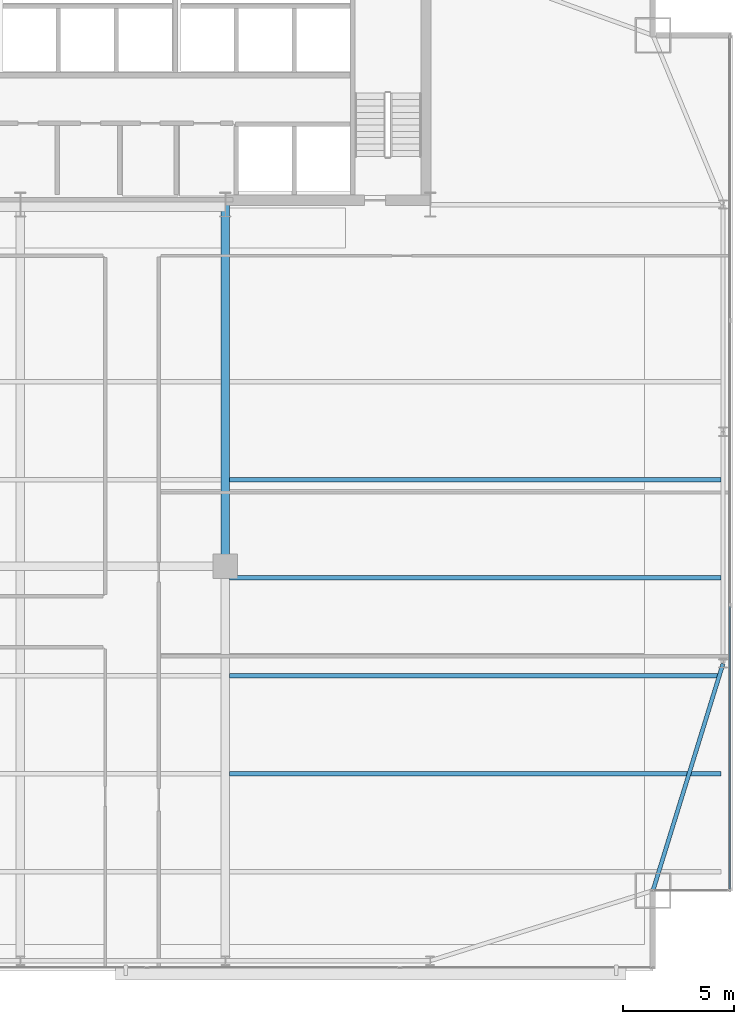
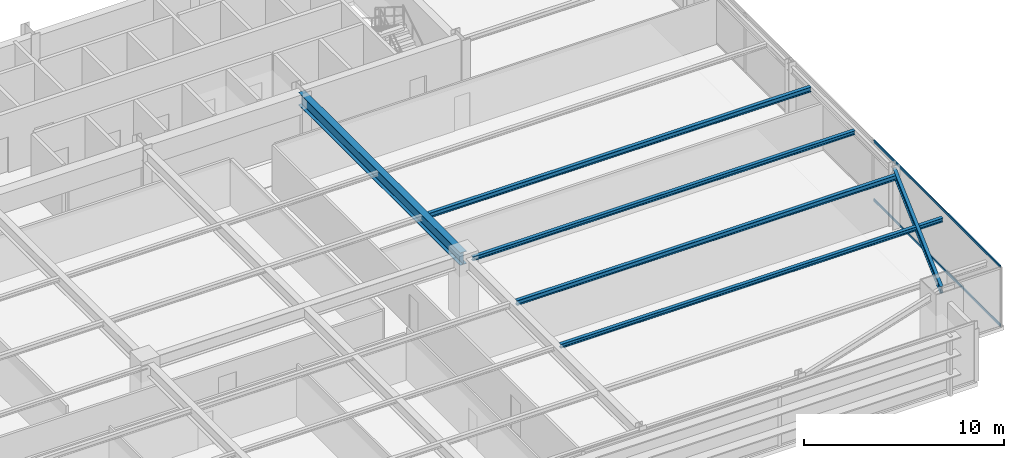
# One storey, part 17 of 30: 6 beams, 2 members, 1 element without a shape of its own.
"""IFC4 building model written with IfcOpenShell, lengths in metres."""

from ifc_helpers import new_model, si_unit, direction, frame, origin, origin_2d, place, context, subcontext, project, spatial, hollow_rectangle, i_section, extrude, source, transform, mapped, material, layer, layer_set, material_profile, profile_set, type_object, type_shapes, element, aggregate, save


model = new_model("IFC4")

# Units and contexts
model_context = context("Model", 3, precision=1e-05, world=origin(), true_north=direction((0.0, 1.0)))
body_context = subcontext(model_context, "Body", "Model", "MODEL_VIEW")
ifc_project = project(units=[si_unit("LENGTHUNIT", "METRE"), si_unit("AREAUNIT", "SQUARE_METRE"), si_unit("VOLUMEUNIT", "CUBIC_METRE"), si_unit("PLANEANGLEUNIT", "RADIAN"), si_unit("MASSUNIT", "GRAM", prefix="KILO")], contexts=[model_context])

# Site, building, storey
site_placement = place(None, origin())
site = spatial("IfcSite", under=ifc_project, at=site_placement, CompositionType="ELEMENT")
building_placement = place(site_placement, origin())
building = spatial("IfcBuilding", under=site, at=building_placement, Name="Varnel Quay Broadcast Tower", CompositionType="ELEMENT")
storey_placement = place(building_placement, frame((0.0, 0.0, 62.699951171875)))
storey = spatial("IfcBuildingStorey", under=building, at=storey_placement, Name="L14", CompositionType="ELEMENT", Elevation=62.699951171875)

# Beams
ifc_material_1 = material(Name="Structural Steel CSA G40.21 350W", Category="steel")
ifc_material_profile_1 = material_profile(ifc_material_1, i_section(OverallWidth=0.180908203125, OverallDepth=0.4169921875, WebThickness=0.010986328125, FlangeThickness=0.018310546875, FilletRadius=0.011962890625, at=origin_2d()), Name="W410X85")
ifc_profile_set_1 = profile_set([ifc_material_profile_1], Name="Structural Steel CSA G40.21 350W")
beam_type_1 = type_object("IfcBeamType", Name="Beam_W410X85", PredefinedType="SPANDREL", material=ifc_profile_set_1)
shared_shape_1 = source(origin(), body_context, "Body", "SweptSolid", [
    extrude(i_section(OverallWidth=0.180908203125, OverallDepth=0.4169921875, WebThickness=0.010986328125, FlangeThickness=0.018310546875, FilletRadius=0.011962890625, at=origin_2d()), origin(), (0.0, 0.0, 1.0), 10.635498046875),
])
type_shapes(beam_type_1, [shared_shape_1])
beam_1_placement = place(storey_placement, frame((62.406005859375, 4.819091796875, 3.441650390625), z_axis=(0.295069676324, 0.955475738108, 0.0), x_axis=(-0.955475738108, 0.295069676324, 0.0)))
element("IfcBeam", 1, at=beam_1_placement, inside=storey, type_object=beam_type_1, Name="L14 East Spandrel MC-SE-TC-E1", PredefinedType="SPANDREL", context=body_context, shape_type="MappedRepresentation", body=[
    mapped(shared_shape_1, transform((0.0, 0.0, 0.0), x_axis=(1.0, 0.0, 0.0), y_axis=(0.0, 1.0, 0.0), z_axis=(0.0, 0.0, 1.0), scale=1.0)),
])
ifc_material_profile_2 = material_profile(ifc_material_1, i_section(OverallWidth=0.381103515625, OverallDepth=0.77294921875, WebThickness=0.0166015625, FlangeThickness=0.027587890625, FilletRadius=0.01806640625, at=origin_2d()), Name="W760X257")
ifc_profile_set_2 = profile_set([ifc_material_profile_2], Name="Structural Steel CSA G40.21 350W")
beam_type_2 = type_object("IfcBeamType", Name="Girder_W760X257", PredefinedType="BEAM", material=ifc_profile_set_2)
shared_shape_2 = source(origin(), body_context, "Body", "SweptSolid", [
    extrude(i_section(OverallWidth=0.381103515625, OverallDepth=0.77294921875, WebThickness=0.0166015625, FlangeThickness=0.027587890625, FilletRadius=0.01806640625, at=origin_2d()), origin(), (0.0, 0.0, 1.0), 16.190185546875),
])
type_shapes(beam_type_2, [shared_shape_2])
beam_2_placement = place(storey_placement, frame((43.199951171875, 19.389892578125, 3.263427734375), z_axis=(0.0, 1.0, 0.0), x_axis=(-1.0, 0.0, 0.0)))
element("IfcBeam", 2, at=beam_2_placement, inside=storey, type_object=beam_type_2, Name="L14 Primary Girder IC-02-CC-S4", PredefinedType="BEAM", context=body_context, shape_type="MappedRepresentation", body=[
    mapped(shared_shape_2, transform((0.0, 0.0, 0.0), x_axis=(1.0, 0.0, 0.0), y_axis=(0.0, 1.0, 0.0), z_axis=(0.0, 0.0, 1.0), scale=1.0)),
])
ifc_material_profile_3 = material_profile(ifc_material_1, i_section(OverallWidth=0.202880859375, OverallDepth=0.302978515625, WebThickness=0.007568359375, FlangeThickness=0.01318359375, FilletRadius=0.011962890625, at=origin_2d()), Name="W310X60")
ifc_profile_set_3 = profile_set([ifc_material_profile_3], Name="Structural Steel CSA G40.21 350W")
beam_type_3 = type_object("IfcBeamType", Name="Beam_W310X60", PredefinedType="JOIST", material=ifc_profile_set_3)
shared_shape_3 = source(origin(), body_context, "Body", "SweptSolid", [
    extrude(i_section(OverallWidth=0.202880859375, OverallDepth=0.302978515625, WebThickness=0.007568359375, FlangeThickness=0.01318359375, FilletRadius=0.011962890625, at=origin_2d()), origin(), (0.0, 0.0, 1.0), 22.0791015625),
])
type_shapes(beam_type_3, [shared_shape_3])
for number, where, z_axis, x_axis, name in (
    (3, (43.385498046875, 14.449951171875, 3.49853515625), (1.0, 0.0, 0.0), (0.0, 1.0, 0.0), "L14 East Floor Joist 3"),
    (4, (43.385498046875, 23.25, 3.49853515625), (1.0, 0.0, 0.0), (0.0, 1.0, 0.0), "L14 East Floor Joist 5"),
):
    element("IfcBeam", number, at=place(storey_placement, frame(where, z_axis=z_axis, x_axis=x_axis)), inside=storey, type_object=beam_type_3, Name=name, PredefinedType="JOIST", context=body_context, shape_type="MappedRepresentation", body=[
        mapped(shared_shape_3, transform((0.0, 0.0, 0.0), x_axis=(1.0, 0.0, 0.0), y_axis=(0.0, 1.0, 0.0), z_axis=(0.0, 0.0, 1.0), scale=1.0)),
    ])
ifc_material_profile_4 = material_profile(ifc_material_1, i_section(OverallWidth=0.201904296875, OverallDepth=0.2470703125, WebThickness=0.00732421875, FlangeThickness=0.010986328125, FilletRadius=0.010986328125, at=origin_2d()), Name="W250X49")
ifc_profile_set_4 = profile_set([ifc_material_profile_4], Name="Structural Steel CSA G40.21 350W")
beam_type_4 = type_object("IfcBeamType", Name="Beam_W250X49", PredefinedType="JOIST", material=ifc_profile_set_4)
shared_shape_4 = source(origin(), body_context, "Body", "SweptSolid", [
    extrude(i_section(OverallWidth=0.201904296875, OverallDepth=0.2470703125, WebThickness=0.00732421875, FlangeThickness=0.010986328125, FilletRadius=0.010986328125, at=origin_2d()), origin(), (0.0, 0.0, 1.0), 22.0791015625),
])
type_shapes(beam_type_4, [shared_shape_4])
for number, where, z_axis, x_axis, name in (
    (5, (43.385498046875, 10.050048828125, 3.526611328125), (1.0, 0.0, 0.0), (0.0, 1.0, 0.0), "L14 East Floor Joist 2"),
    (6, (43.385498046875, 18.85009765625, 3.526611328125), (1.0, 0.0, 0.0), (0.0, 1.0, 0.0), "L14 East Floor Joist 4"),
):
    element("IfcBeam", number, at=place(storey_placement, frame(where, z_axis=z_axis, x_axis=x_axis)), inside=storey, type_object=beam_type_4, Name=name, PredefinedType="JOIST", context=body_context, shape_type="MappedRepresentation", body=[
        mapped(shared_shape_4, transform((0.0, 0.0, 0.0), x_axis=(1.0, 0.0, 0.0), y_axis=(0.0, 1.0, 0.0), z_axis=(0.0, 0.0, 1.0), scale=1.0)),
    ])

# Curtain wall, members
ifc_material_2 = material(Name="Anodised Bronze Aluminium 6063-T6", Category="aluminium")
ifc_layer = layer(ifc_material_2, 0.18994140625, Name="Anodised Bronze Aluminium 6063-T6")
ifc_layer_set = layer_set([ifc_layer], Name="Anodised Bronze Aluminium 6063-T6")
curtain_wall_type = type_object("IfcCurtainWallType", Name="CW_LowerTower", PredefinedType="NOTDEFINED", material=ifc_layer_set)
curtain_wall_placement = place(storey_placement, origin())
curtain_wall = element("IfcCurtainWall", 7, at=curtain_wall_placement, inside=storey, type_object=curtain_wall_type, Name="L14 East Unitised Curtain Wall", PredefinedType="NOTDEFINED")
ifc_material_profile_5 = material_profile(ifc_material_2, hollow_rectangle(XDim=0.06005859375, YDim=0.14501953125, WallThickness=0.00341796875, at=origin_2d()), Name="ALU60X145X3.5")
ifc_profile_set_5 = profile_set([ifc_material_profile_5], Name="Anodised Bronze Aluminium 6063-T6")
member_type = type_object("IfcMemberType", Name="Tran_CWS-02", PredefinedType="USERDEFINED", material=ifc_profile_set_5)
shared_shape_5 = source(origin(), body_context, "Body", "SweptSolid", [
    extrude(hollow_rectangle(XDim=0.06005859375, YDim=0.14501953125, WallThickness=0.00341796875, at=origin_2d()), origin(), (0.0, 0.0, 1.0), 12.69482421875),
])
type_shapes(member_type, [shared_shape_5])
member_1_placement = place(storey_placement, frame((65.85009765625, 4.8701171875, 0.030029296875), z_axis=(0.0, 1.0, 0.0), x_axis=(-1.0, 0.0, 0.0)))
member_1 = element("IfcMember", 8, at=member_1_placement, type_object=member_type, Name="CWS-02 transom 1.1", ObjectType="TRANSOM", PredefinedType="USERDEFINED", context=body_context, shape_type="MappedRepresentation", body=[
    mapped(shared_shape_5, transform((0.0, 0.0, 0.0), x_axis=(1.0, 0.0, 0.0), y_axis=(0.0, 1.0, 0.0), z_axis=(0.0, 0.0, 1.0), scale=1.0)),
])
member_2_placement = place(storey_placement, frame((65.85009765625, 4.8701171875, 3.6201171875), z_axis=(0.0, 1.0, 0.0), x_axis=(-1.0, 0.0, 0.0)))
member_2 = element("IfcMember", 9, at=member_2_placement, type_object=member_type, Name="CWS-02 transom 1.2", ObjectType="TRANSOM", PredefinedType="USERDEFINED", context=body_context, shape_type="MappedRepresentation", body=[
    mapped(shared_shape_5, transform((0.0, 0.0, 0.0), x_axis=(1.0, 0.0, 0.0), y_axis=(0.0, 1.0, 0.0), z_axis=(0.0, 0.0, 1.0), scale=1.0)),
])
aggregate(curtain_wall, [member_1, member_2])

save(model, "model.ifc")
